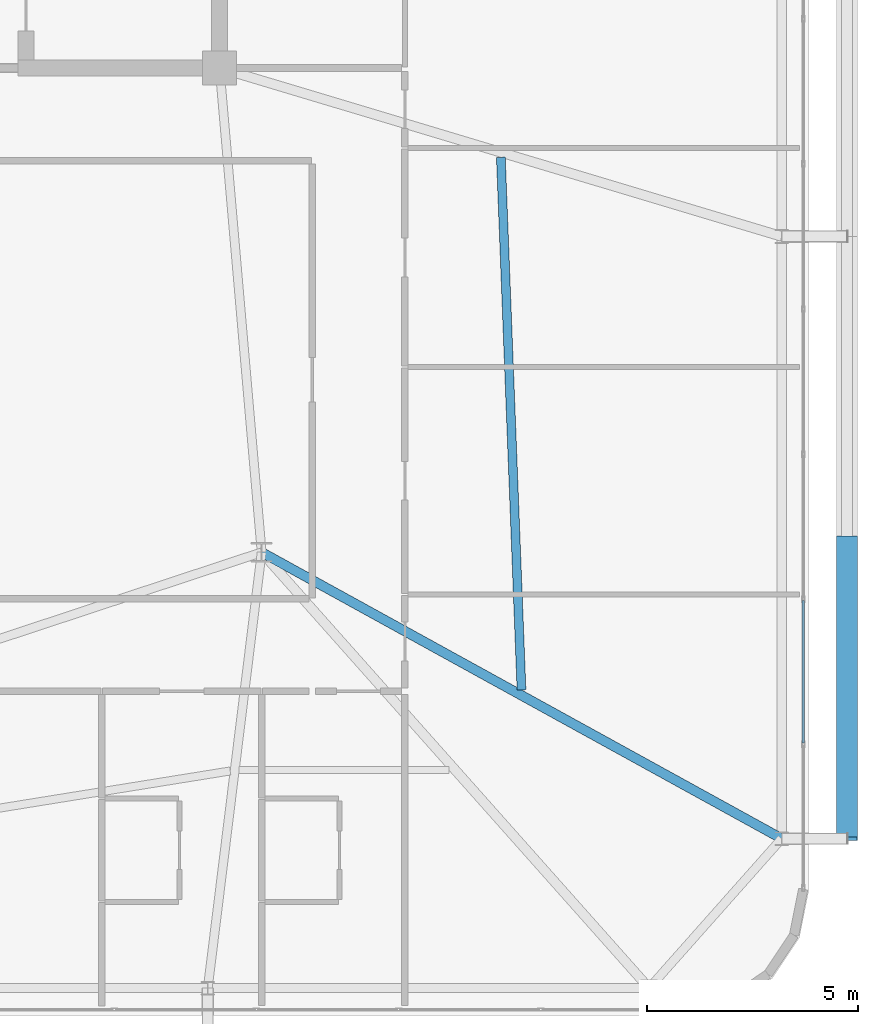
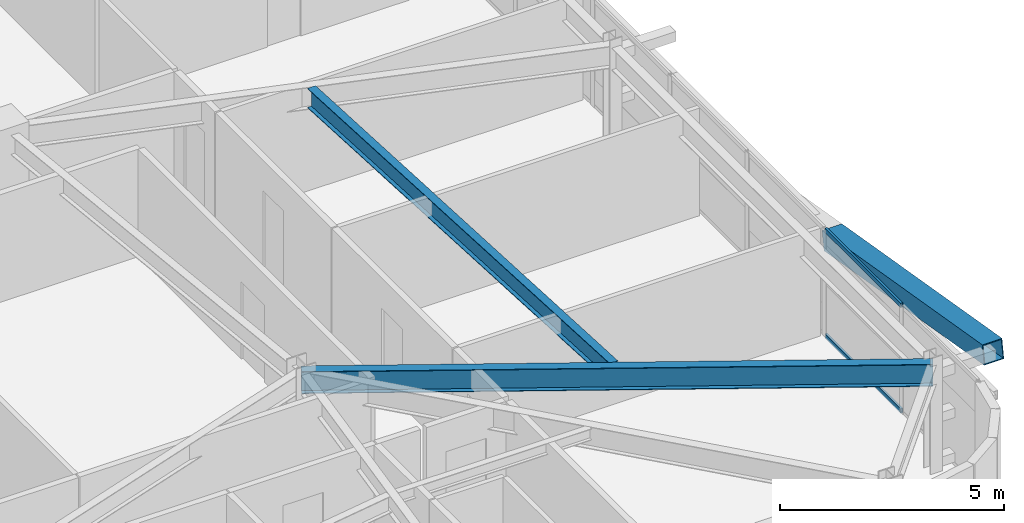
# One storey, part 25 of 58: 3 members, 2 beams, 1 element without a shape of its own.
"""IFC4 building model written with IfcOpenShell, lengths in metres."""

import ifcopenshell
import ifcopenshell.guid

model = None  # the IFC model being written
_history = None  # IfcOwnerHistory: only IFC2X3 demands one
_inside = {}  # id of a spatial element -> (the spatial element, [elements in it])
_under = {}  # id of a project, library or spatial element -> (it, [spatial elements below it])
_declared = {}  # id of a project -> (the project, [libraries it declares])
_typed = {}  # id of a type object -> (the type object, [elements of that type])
_made_of = {}  # id of a material, layer set ... -> (it, [elements and type objects made of it])


def new_model(schema):
    """Start an empty IFC model of exactly this schema.

    Asked for "IFC4X3", IfcOpenShell would pick the latest addendum, in which some entities
    have other attributes; the version numbers below select the first issue.
    IFC2X3 requires an IfcOwnerHistory on every rooted entity: one is made here for all.
    """
    global model, _history
    if schema == "IFC4X3":
        model = ifcopenshell.file(schema_version=(4, 3, 0, 0))
    else:
        model = ifcopenshell.file(schema=schema)
    _inside.clear()
    _under.clear()
    _declared.clear()
    _typed.clear()
    _made_of.clear()
    _history = None
    if model.schema == "IFC2X3":
        org = make("IfcOrganization", Name="unknown")
        user = make(
            "IfcPersonAndOrganization",
            ThePerson=make("IfcPerson", FamilyName="unknown"),
            TheOrganization=org,
        )
        app = make(
            "IfcApplication",
            ApplicationDeveloper=org,
            Version="unknown",
            ApplicationFullName="unknown",
            ApplicationIdentifier="unknown",
        )
        _history = make(
            "IfcOwnerHistory",
            OwningUser=user,
            OwningApplication=app,
            ChangeAction="ADDED",
            CreationDate=0,
        )
    return model


def make(cls, **values):
    """One entity of the class cls with the attributes given. An attribute that is None is left unset."""
    return model.create_entity(
        cls, **{name: value for name, value in values.items() if value is not None}
    )


def rooted(cls, **values):
    """An entity with a GlobalId (a new one), such as an element, a storey or a relation."""
    return make(cls, GlobalId=ifcopenshell.guid.new(), OwnerHistory=_history, **values)


def si_unit(unit_type, name, prefix=None):
    """IfcSIUnit, for example si_unit("LENGTHUNIT", "METRE", prefix="MILLI")."""
    return make("IfcSIUnit", UnitType=unit_type, Prefix=prefix, Name=name)


def assignment(units):
    """IfcUnitAssignment: the units of a project."""
    return None if units is None else make("IfcUnitAssignment", Units=units)


def point(xyz):
    """IfcCartesianPoint."""
    return None if xyz is None else make("IfcCartesianPoint", Coordinates=xyz)


def direction(xyz):
    """IfcDirection."""
    return None if xyz is None else make("IfcDirection", DirectionRatios=xyz)


def frame(location, z_axis=None, x_axis=None):
    """IfcAxis2Placement3D, a coordinate frame: its origin and axes. An axis left out is left unset."""
    return make(
        "IfcAxis2Placement3D",
        Location=point(location),
        Axis=direction(z_axis),
        RefDirection=direction(x_axis),
    )


def frame_2d(location, x_axis=None):
    """IfcAxis2Placement2D, a coordinate frame in the plane: its origin and x axis."""
    return make(
        "IfcAxis2Placement2D", Location=point(location), RefDirection=direction(x_axis)
    )


def origin():
    """The frame at (0, 0, 0) with its axes left unset."""
    return frame((0.0, 0.0, 0.0))


def origin_2d():
    """The frame at (0, 0) in the plane with its x axis left unset."""
    return frame_2d((0.0, 0.0))


def place(relative_to, where):
    """IfcLocalPlacement: puts the frame where relative to a parent placement (None: the world)."""
    return make(
        "IfcLocalPlacement", PlacementRelTo=relative_to, RelativePlacement=where
    )


def context(
    kind, dimensions, precision=None, world=None, true_north=None, identifier=None
):
    """IfcGeometricRepresentationContext, for example the 3D "Model" context."""
    return make(
        "IfcGeometricRepresentationContext",
        ContextIdentifier=identifier,
        ContextType=kind,
        CoordinateSpaceDimension=dimensions,
        Precision=precision,
        WorldCoordinateSystem=world,
        TrueNorth=true_north,
    )


def subcontext(parent, identifier, kind, view, scale=None):
    """IfcGeometricRepresentationSubContext, for example "Body" below "Model"."""
    return make(
        "IfcGeometricRepresentationSubContext",
        ContextIdentifier=identifier,
        ContextType=kind,
        ParentContext=parent,
        TargetScale=scale,
        TargetView=view,
    )


def project(units=None, contexts=None):
    """IfcProject with its units and contexts."""
    return rooted(
        "IfcProject",
        Name="project",
        RepresentationContexts=contexts,
        UnitsInContext=assignment(units),
    )


def spatial(cls, under=None, at=None, **own):
    """A site, building, storey or space (cls), placed at a placement, below another one or the project."""
    s = rooted(cls, ObjectPlacement=at, **own)
    if under is not None:
        _under.setdefault(under.id(), (under, []))[1].append(s)
    return s


def profile(cls, at=None, kind="AREA", **sizes):
    """A parametric profile (cls). Its sizes go by their IFC names, for example OverallWidth=200.0."""
    return make(cls, ProfileType=kind, Position=at, **sizes)


def hollow_rectangle(**sizes):
    """IfcRectangleHollowProfileDef."""
    return profile("IfcRectangleHollowProfileDef", **sizes)


def i_section(**sizes):
    """IfcIShapeProfileDef."""
    return profile("IfcIShapeProfileDef", **sizes)


def extrude(swept, where, along, depth):
    """IfcExtrudedAreaSolid: the profile swept, set in the frame where, extruded along a direction by depth."""
    return make(
        "IfcExtrudedAreaSolid",
        SweptArea=swept,
        Position=where,
        ExtrudedDirection=direction(along),
        Depth=depth,
    )


def shape(context_of_items, identifier, shape_type, items):
    """IfcShapeRepresentation: the items that make up one representation, for example the "Body"."""
    return make(
        "IfcShapeRepresentation",
        ContextOfItems=context_of_items,
        RepresentationIdentifier=identifier,
        RepresentationType=shape_type,
        Items=items,
    )


def source(mapping_origin, context_of_items, identifier, shape_type, items):
    """IfcRepresentationMap: a shape defined once, which mapped items show again and again."""
    return make(
        "IfcRepresentationMap",
        MappingOrigin=mapping_origin,
        MappedRepresentation=shape(context_of_items, identifier, shape_type, items),
    )


def transform(
    local_origin,
    x_axis=None,
    y_axis=None,
    z_axis=None,
    scale=None,
    scale2=None,
    scale3=None,
    uniform=True,
):
    """IfcCartesianTransformationOperator3D, or its non-uniform kind. x_axis, y_axis, z_axis: its Axis1, 2, 3."""
    if uniform:
        return make(
            "IfcCartesianTransformationOperator3D",
            Axis1=direction(x_axis),
            Axis2=direction(y_axis),
            LocalOrigin=point(local_origin),
            Scale=scale,
            Axis3=direction(z_axis),
        )
    return make(
        "IfcCartesianTransformationOperator3DnonUniform",
        Axis1=direction(x_axis),
        Axis2=direction(y_axis),
        LocalOrigin=point(local_origin),
        Scale=scale,
        Axis3=direction(z_axis),
        Scale2=scale2,
        Scale3=scale3,
    )


def mapped(mapping_source, mapping_target):
    """IfcMappedItem: shows the shape of a source again, moved by a transform."""
    return make(
        "IfcMappedItem", MappingSource=mapping_source, MappingTarget=mapping_target
    )


def material(Name=None, Category=None):
    """IfcMaterial."""
    return make("IfcMaterial", Name=Name, Category=Category)


def layer(
    of_material, thickness, ventilated=None, Name=None, Category=None, Priority=None
):
    """IfcMaterialLayer: one layer of a wall or slab, of a material (None: an air gap)."""
    return make(
        "IfcMaterialLayer",
        Material=of_material,
        LayerThickness=thickness,
        IsVentilated=ventilated,
        Name=Name,
        Category=Category,
        Priority=Priority,
    )


def layer_set(layers, Name=None):
    """IfcMaterialLayerSet."""
    return make("IfcMaterialLayerSet", MaterialLayers=layers, LayerSetName=Name)


def material_profile(
    of_material, cross_section, Name=None, Category=None, Priority=None
):
    """IfcMaterialProfile: a cross section and its material."""
    return make(
        "IfcMaterialProfile",
        Name=Name,
        Material=of_material,
        Profile=cross_section,
        Priority=Priority,
        Category=Category,
    )


def profile_set(profiles, Name=None, composite=None):
    """IfcMaterialProfileSet."""
    return make(
        "IfcMaterialProfileSet",
        Name=Name,
        MaterialProfiles=profiles,
        CompositeProfile=composite,
    )


def made_of(thing, what):
    """Note that an element or type object is made of a material, layer set ...; save() writes the relation."""
    if what is not None:
        _made_of.setdefault(what.id(), (what, []))[1].append(thing)
    return thing


def type_object(cls, material=None, **own):
    """A type object (cls), such as IfcWallType, which elements share."""
    return made_of(rooted(cls, **own), material)


def element(
    cls,
    number,
    at=None,
    inside=None,
    cuts=None,
    type_object=None,
    material=None,
    context=None,
    identifier="Body",
    shape_type=None,
    held_by="IfcProductDefinitionShape",
    body=None,
    shapes=None,
    **own,
):
    """One element of the class cls, such as IfcWall. Its Tag is "e" and its number.

    at: its placement. inside: the storey or other place that contains it. cuts: it is an
    opening in that element (IfcRelVoidsElement). A single representation is given by context,
    identifier, shape_type and body (its items); several are given by shapes. held_by: the class
    of the entity that holds the representations. save() writes the other relations.
    """
    e = rooted(cls, Tag="e%d" % number, ObjectPlacement=at, **own)
    if body is not None:
        shapes = [shape(context, identifier, shape_type, body)]
    if shapes is not None:
        e.Representation = make(held_by, Representations=shapes)
    if inside is not None:
        _inside.setdefault(inside.id(), (inside, []))[1].append(e)
    if cuts is not None:
        rooted(
            "IfcRelVoidsElement", RelatingBuildingElement=cuts, RelatedOpeningElement=e
        )
    if type_object is not None:
        _typed.setdefault(type_object.id(), (type_object, []))[1].append(e)
    return made_of(e, material)


def aggregate(whole, parts):
    """IfcRelAggregates: a whole, such as a stair, and the parts it consists of."""
    return rooted("IfcRelAggregates", RelatingObject=whole, RelatedObjects=parts)


def save(model, path):
    """Write the relations noted so far, then the file.

    IfcRelAggregates (storeys below a building ...), IfcRelContainedInSpatialStructure (elements
    in a storey), IfcRelDefinesByType, IfcRelAssociatesMaterial and IfcRelDeclares: one each for
    every whole, place, type object, material and project.
    """
    for whole, parts in _under.values():
        aggregate(whole, parts)
    for where, things in _inside.values():
        rooted(
            "IfcRelContainedInSpatialStructure",
            RelatedElements=things,
            RelatingStructure=where,
        )
    for kind, things in _typed.values():
        rooted("IfcRelDefinesByType", RelatedObjects=things, RelatingType=kind)
    for what, things in _made_of.values():
        rooted("IfcRelAssociatesMaterial", RelatedObjects=things, RelatingMaterial=what)
    for by, libraries in _declared.values():
        rooted("IfcRelDeclares", RelatingContext=by, RelatedDefinitions=libraries)
    model.write(path)


model = new_model("IFC4")

# Units and contexts
model_context = context("Model", 3, precision=1e-05, world=origin(), true_north=direction((0.0, 1.0)))
body_context = subcontext(model_context, "Body", "Model", "MODEL_VIEW")
ifc_project = project(units=[si_unit("LENGTHUNIT", "METRE"), si_unit("AREAUNIT", "SQUARE_METRE"), si_unit("VOLUMEUNIT", "CUBIC_METRE"), si_unit("PLANEANGLEUNIT", "RADIAN"), si_unit("MASSUNIT", "GRAM", prefix="KILO")], contexts=[model_context])

# Site, building, storey
site_placement = place(None, origin())
site = spatial("IfcSite", under=ifc_project, at=site_placement, CompositionType="ELEMENT")
building_placement = place(site_placement, origin())
building = spatial("IfcBuilding", under=site, at=building_placement, Name="Taldren Reach Tower", CompositionType="ELEMENT")
storey_placement = place(building_placement, frame((0.0, 0.0, 51.449951171875)))
storey = spatial("IfcBuildingStorey", under=building, at=storey_placement, Name="L15", CompositionType="ELEMENT", Elevation=51.449951171875)

# Beams
ifc_material_1 = material(Name="Steel Gr 350 (350PLUS)", Category="steel")
ifc_material_profile_1 = material_profile(ifc_material_1, i_section(OverallWidth=0.22802734375, OverallDepth=0.60205078125, WebThickness=0.010498046875, FlangeThickness=0.014892578125, at=origin_2d()), Name="610UB101")
ifc_profile_set_1 = profile_set([ifc_material_profile_1], Name="Steel Gr 350 (350PLUS)")
beam_type_1 = type_object("IfcBeamType", Name="BM-UB610B", PredefinedType="BEAM", material=ifc_profile_set_1)
shared_shape_1 = source(origin(), body_context, "Body", "SweptSolid", [
    extrude(i_section(OverallWidth=0.22802734375, OverallDepth=0.60205078125, WebThickness=0.010498046875, FlangeThickness=0.014892578125, at=origin_2d()), origin(), (0.0, 0.0, 1.0), 14.098388671875),
])
beam_1_placement = place(storey_placement, frame((52.0, 12.5, 2.629150390625), z_axis=(0.875991325783, -0.482326857175, 0.0), x_axis=(0.482326857175, 0.875991325783, 0.0)))
element("IfcBeam", 1, at=beam_1_placement, inside=storey, type_object=beam_type_1, Name="Primary floor girder B1-E1 L15", PredefinedType="BEAM", context=body_context, shape_type="MappedRepresentation", body=[
    mapped(shared_shape_1, transform((0.0, 0.0, 0.0), scale=1.0)),
])
ifc_material_profile_2 = material_profile(ifc_material_1, i_section(OverallWidth=0.208984375, OverallDepth=0.532958984375, WebThickness=0.01025390625, FlangeThickness=0.015625, at=origin_2d()), Name="530UB92.4")
ifc_profile_set_2 = profile_set([ifc_material_profile_2], Name="Steel Gr 350 (350PLUS)")
beam_type_2 = type_object("IfcBeamType", Name="BM-UB530A", PredefinedType="BEAM", material=ifc_profile_set_2)
shared_shape_2 = source(origin(), body_context, "Body", "SweptSolid", [
    extrude(i_section(OverallWidth=0.208984375, OverallDepth=0.532958984375, WebThickness=0.01025390625, FlangeThickness=0.015625, at=origin_2d()), origin(), (0.0, 0.0, 1.0), 12.65625),
])
beam_2_placement = place(storey_placement, frame((58.169921875, 9.23291015625, 2.66357421875), z_axis=(-0.0387346395, 0.99924953225, 0.0), x_axis=(-0.99924953225, -0.0387346395, 0.0)))
element("IfcBeam", 2, at=beam_2_placement, inside=storey, type_object=beam_type_2, Name="Secondary floor beam B1 J7 L15", PredefinedType="BEAM", context=body_context, shape_type="MappedRepresentation", body=[
    mapped(shared_shape_2, transform((0.0, 0.0, 0.0), scale=1.0)),
])

# Member
ifc_material_2 = material(Name="Steel Gr 450 (C450L0)", Category="steel")
ifc_material_profile_3 = material_profile(ifc_material_2, hollow_rectangle(XDim=0.510009765625, YDim=0.510009765625, WallThickness=0.02001953125, at=origin_2d()), Name="510x510x20.0SHS")
ifc_profile_set_3 = profile_set([ifc_material_profile_3], Name="Steel Gr 450 (C450L0)")
member_type_1 = type_object("IfcMemberType", Name="MB-EXO508", PredefinedType="BRACE", material=ifc_profile_set_3)
shared_shape_3 = source(origin(), body_context, "Body", "SweptSolid", [
    extrude(hollow_rectangle(XDim=0.510009765625, YDim=0.510009765625, WallThickness=0.02001953125, at=origin_2d()), origin(), (0.0, 0.0, 1.0), 7.252685546875),
])
member_1_placement = place(storey_placement, frame((65.89990234375, 12.85009765625, 1.43505859375), z_axis=(0.0, -0.985865800628, 0.167536930711), x_axis=(1.0, 0.0, 0.0)))
element("IfcMember", 3, at=member_1_placement, inside=storey, type_object=member_type_1, Name="Exoskeleton Diagrid Brace B1-E1 L15", PredefinedType="BRACE", context=body_context, shape_type="MappedRepresentation", body=[
    mapped(shared_shape_3, transform((0.0, 0.0, 0.0), scale=1.0)),
])

# Curtain wall, members
ifc_material_3 = material(Name="Aluminium and Low-E Glass Unitised System", Category="aluminium")
ifc_layer = layer(ifc_material_3, 0.159912109375)
ifc_layer_set = layer_set([ifc_layer], Name="Aluminium and Low-E Glass Unitised System")
curtain_wall_type = type_object("IfcCurtainWallType", Name="CW-SYS-2", PredefinedType="NOTDEFINED", material=ifc_layer_set)
curtain_wall_placement = place(storey_placement, origin())
curtain_wall = element("IfcCurtainWall", 4, at=curtain_wall_placement, inside=storey, type_object=curtain_wall_type, Name="Unitised curtain wall CW-L15-E", PredefinedType="NOTDEFINED")
ifc_material_4 = material(Name="Anodised Aluminium 6063-T6", Category="aluminium")
ifc_material_profile_4 = material_profile(ifc_material_4, hollow_rectangle(XDim=0.054931640625, YDim=0.1201171875, WallThickness=0.0029296875, at=origin_2d()), Name="ALU-120x55x3RHS")
ifc_profile_set_4 = profile_set([ifc_material_profile_4], Name="Anodised Aluminium 6063-T6")
member_type_2 = type_object("IfcMemberType", Name="CW-TRN-135", PredefinedType="USERDEFINED", material=ifc_profile_set_4)
shared_shape_4 = source(origin(), body_context, "Body", "SweptSolid", [
    extrude(hollow_rectangle(XDim=0.054931640625, YDim=0.1201171875, WallThickness=0.0029296875, at=origin_2d()), origin(), (0.0, 0.0, 1.0), 3.37939453125),
])
member_2_placement = place(storey_placement, frame((64.860107421875, 7.97705078125, 0.027587890625), z_axis=(0.0, 1.0, 0.0), x_axis=(-1.0, 0.0, 0.0)))
member_2 = element("IfcMember", 5, at=member_2_placement, type_object=member_type_2, Name="CW-2 transom 2.1", ObjectType="TRANSOM", PredefinedType="USERDEFINED", context=body_context, shape_type="MappedRepresentation", body=[
    mapped(shared_shape_4, transform((0.0, 0.0, 0.0), scale=1.0)),
])
member_3_placement = place(storey_placement, frame((64.860107421875, 7.97705078125, 2.902587890625), z_axis=(0.0, 1.0, 0.0), x_axis=(-1.0, 0.0, 0.0)))
member_3 = element("IfcMember", 6, at=member_3_placement, type_object=member_type_2, Name="CW-2 transom 2.2", ObjectType="TRANSOM", PredefinedType="USERDEFINED", context=body_context, shape_type="MappedRepresentation", body=[
    mapped(shared_shape_4, transform((0.0, 0.0, 0.0), scale=1.0)),
])
aggregate(curtain_wall, [member_2, member_3])

save(model, "model.ifc")
